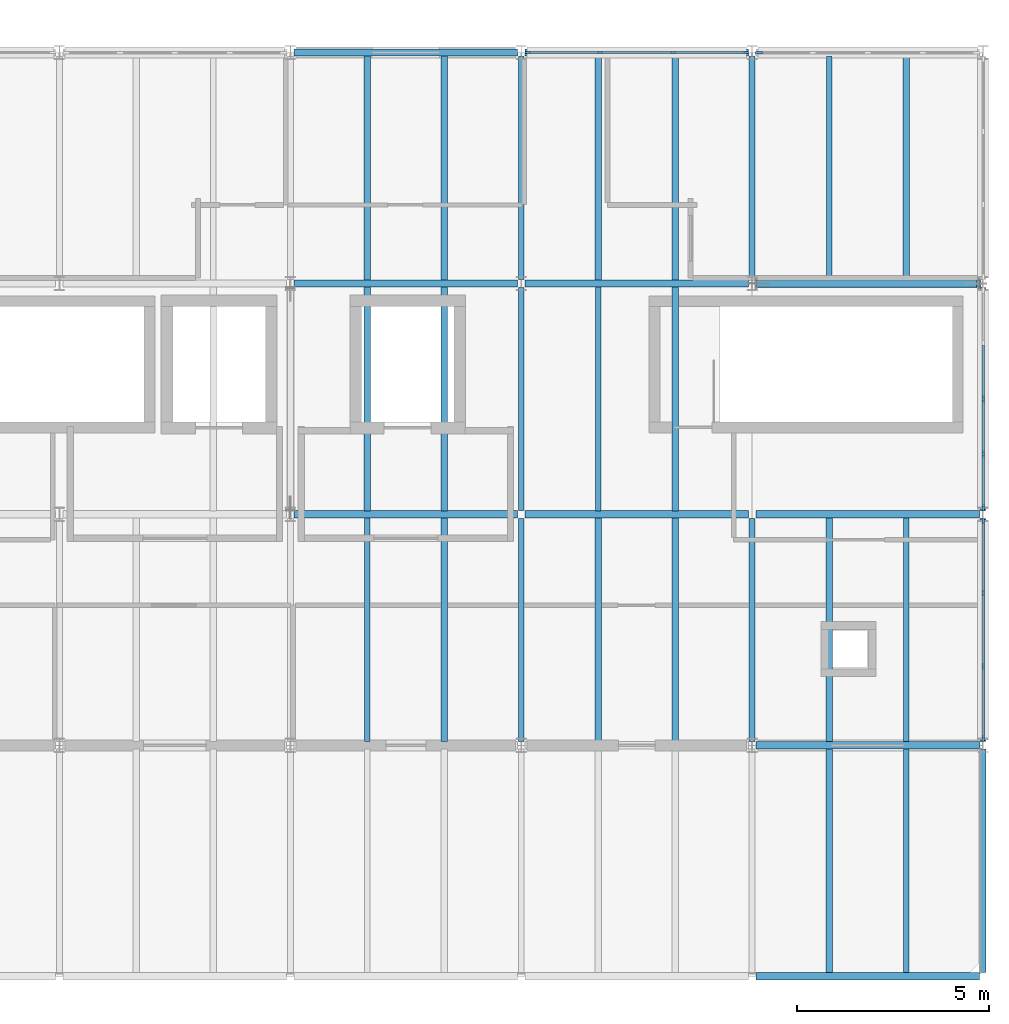
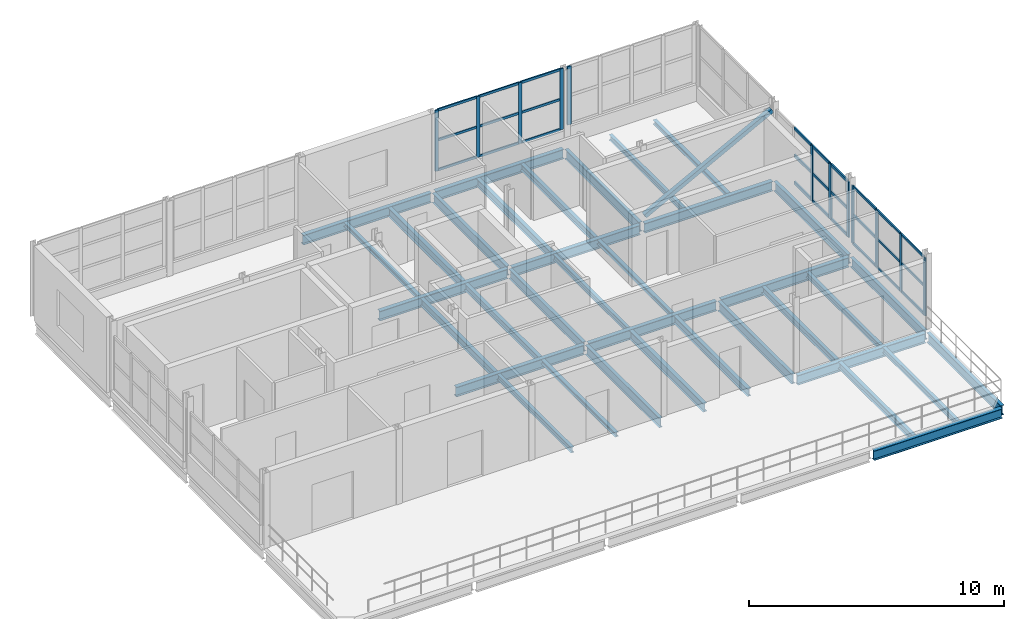
# One storey, part 8 of 20: 40 members, 36 beams, 4 elements without a shape of their own.
"""IFC4 building model written with IfcOpenShell, lengths in metres."""

from ifc_helpers import new_model, si_unit, direction, frame, origin, origin_2d, place, context, subcontext, project, spatial, rectangle, hollow_rectangle, i_section, extrude, material, material_profile, profile_set, type_object, element, aggregate, save


model = new_model("IFC4")

# Units and contexts
model_context = context("Model", 3, precision=1e-05, world=origin(), true_north=direction((0.0, 1.0)))
body_context = subcontext(model_context, "Body", "Model", "MODEL_VIEW")
ifc_project = project(units=[si_unit("LENGTHUNIT", "METRE"), si_unit("AREAUNIT", "SQUARE_METRE"), si_unit("VOLUMEUNIT", "CUBIC_METRE"), si_unit("PLANEANGLEUNIT", "RADIAN"), si_unit("MASSUNIT", "GRAM", prefix="KILO")], contexts=[model_context])

# Site, building, storey
site_placement = place(None, origin())
site = spatial("IfcSite", under=ifc_project, at=site_placement, CompositionType="ELEMENT")
building_placement = place(site_placement, origin())
building = spatial("IfcBuilding", under=site, at=building_placement, Name="Siltcreek Boulevard Central Fire Station", CompositionType="ELEMENT")
storey_placement = place(building_placement, frame((0.0, 0.0, 18.0)))
storey = spatial("IfcBuildingStorey", under=building, at=storey_placement, Name="L05", CompositionType="ELEMENT", Elevation=18.0)

# Beams
ifc_material_1 = material(Name="Structural steel ASTM A992 Gr50", Category="steel")
ifc_material_profile_1 = material_profile(ifc_material_1, i_section(OverallWidth=0.154052734375, OverallDepth=0.458984375, WebThickness=0.009033203125, FlangeThickness=0.015380859375, at=origin_2d()), Name="W460X68")
ifc_profile_set_1 = profile_set([ifc_material_profile_1], Name="Structural steel ASTM A992 Gr50")
beam_type_1 = type_object("IfcBeamType", Name="BM_W460X68", PredefinedType="BEAM", material=ifc_profile_set_1)
for number, where, z_axis, x_axis, name in (
    (1, (142.199951171875, 94.300048828125, -0.469482421875), (0.0, 1.0, 0.0), (-1.0, 0.0, 0.0), "L05 primary steel girder GY-0653"),
    (2, (142.199951171875, 100.300048828125, -0.469482421875), (0.0, 1.0, 0.0), (-1.0, 0.0, 0.0), "L05 primary steel girder GY-0654"),
    (3, (142.199951171875, 106.300048828125, -0.469482421875), (0.0, 1.0, 0.0), (-1.0, 0.0, 0.0), "L05 primary steel girder GY-0655"),
    (4, (148.199951171875, 94.300048828125, -0.469482421875), (0.0, 1.0, 0.0), (-1.0, 0.0, 0.0), "L05 primary steel girder GY-0657"),
    (5, (148.199951171875, 106.300048828125, -0.469482421875), (0.0, 1.0, 0.0), (-1.0, 0.0, 0.0), "L05 primary steel girder GY-0658"),
    (6, (154.199951171875, 88.300048828125, -0.439453125), (0.0, 1.0, 0.0), (-1.0, 0.0, 0.0), "L05 primary steel girder GY-0659"),
    (7, (154.199951171875, 94.300048828125, -0.469482421875), (0.0, 1.0, 0.0), (-1.0, 0.0, 0.0), "L05 primary steel girder GY-0660"),
    (8, (154.199951171875, 100.300048828125, -0.469482421875), (0.0, 1.0, 0.0), (-1.0, 0.0, 0.0), "L05 primary steel girder GY-0661"),
):
    element("IfcBeam", number, at=place(storey_placement, frame(where, z_axis=z_axis, x_axis=x_axis)), inside=storey, type_object=beam_type_1, Name=name, PredefinedType="BEAM", context=body_context, shape_type="SweptSolid", body=[
        extrude(i_section(OverallWidth=0.154052734375, OverallDepth=0.458984375, WebThickness=0.009033203125, FlangeThickness=0.015380859375, at=origin_2d()), origin(), (0.0, 0.0, 1.0), 5.800048828125),
    ])
ifc_material_profile_2 = material_profile(ifc_material_1, i_section(OverallWidth=0.19189453125, OverallDepth=0.462890625, WebThickness=0.010498046875, FlangeThickness=0.017578125, at=origin_2d()), Name="W460X89")
ifc_profile_set_2 = profile_set([ifc_material_profile_2], Name="Structural steel ASTM A992 Gr50")
beam_type_2 = type_object("IfcBeamType", Name="BM_W460X89", PredefinedType="BEAM", material=ifc_profile_set_2)
for number, where, z_axis, x_axis, name in (
    (9, (148.300048828125, 88.199951171875, -0.44140625), (1.0, 0.0, 0.0), (0.0, 1.0, 0.0), "L05 primary steel girder GX-0620"),
    (10, (148.300048828125, 94.199951171875, -0.471435546875), (1.0, 0.0, 0.0), (0.0, 1.0, 0.0), "L05 primary steel girder GX-0625"),
    (11, (136.300048828125, 100.199951171875, -0.471435546875), (1.0, 0.0, 0.0), (0.0, 1.0, 0.0), "L05 primary steel girder GX-0628"),
    (12, (142.300048828125, 100.199951171875, -0.471435546875), (1.0, 0.0, 0.0), (0.0, 1.0, 0.0), "L05 primary steel girder GX-0629"),
    (13, (148.300048828125, 100.199951171875, -0.471435546875), (1.0, 0.0, 0.0), (0.0, 1.0, 0.0), "L05 primary steel girder GX-0630"),
    (14, (136.300048828125, 106.199951171875, -0.471435546875), (1.0, 0.0, 0.0), (0.0, 1.0, 0.0), "L05 primary steel girder GX-0633"),
    (15, (142.300048828125, 106.199951171875, -0.471435546875), (1.0, 0.0, 0.0), (0.0, 1.0, 0.0), "L05 primary steel girder GX-0634"),
    (16, (148.300048828125, 106.199951171875, -0.471435546875), (1.0, 0.0, 0.0), (0.0, 1.0, 0.0), "L05 primary steel girder GX-0635"),
    (17, (136.300048828125, 112.199951171875, -0.471435546875), (1.0, 0.0, 0.0), (0.0, 1.0, 0.0), "L05 primary steel girder GX-0638"),
    (18, (142.300048828125, 112.199951171875, -0.471435546875), (1.0, 0.0, 0.0), (0.0, 1.0, 0.0), "L05 primary steel girder GX-0639"),
):
    element("IfcBeam", number, at=place(storey_placement, frame(where, z_axis=z_axis, x_axis=x_axis)), inside=storey, type_object=beam_type_2, Name=name, PredefinedType="BEAM", context=body_context, shape_type="SweptSolid", body=[
        extrude(i_section(OverallWidth=0.19189453125, OverallDepth=0.462890625, WebThickness=0.010498046875, FlangeThickness=0.017578125, at=origin_2d()), origin(), (0.0, 0.0, 1.0), 5.800048828125),
    ])

# Member
ifc_material_2 = material(Name="Structural steel ASTM A500 GrC", Category="steel")
ifc_material_profile_3 = material_profile(ifc_material_2, hollow_rectangle(XDim=0.199951171875, YDim=0.199951171875, WallThickness=0.009521484375, at=origin_2d()), Name="HSS200X200X9.5")
ifc_profile_set_3 = profile_set([ifc_material_profile_3], Name="Structural steel ASTM A500 GrC")
member_type_1 = type_object("IfcMemberType", Name="BR_HSS200_9", PredefinedType="BRACE", material=ifc_profile_set_3)
member_1_placement = place(storey_placement, frame((148.320068359375, 106.199951171875, 0.10009765625), z_axis=(0.883763313865, 0.0, 0.467934188819), x_axis=(0.0, 1.0, 0.0)))
element("IfcMember", 19, at=member_1_placement, inside=storey, type_object=member_type_1, Name="L05 buckling-restrained brace BR-030", PredefinedType="BRACE", context=body_context, shape_type="SweptSolid", body=[
    extrude(hollow_rectangle(XDim=0.199951171875, YDim=0.199951171875, WallThickness=0.009521484375, at=origin_2d()), origin(), (0.0, 0.0, 1.0), 6.517578125),
])

# Curtain wall, members
ifc_material_3 = material(Name="Anodized aluminum and low-E insulated glazing", Category="aluminium")
curtain_wall_type_1 = type_object("IfcCurtainWallType", Name="CW_SYS_28", PredefinedType="USERDEFINED", material=ifc_material_3)
curtain_wall_1_placement = place(storey_placement, origin())
curtain_wall_1 = element("IfcCurtainWall", 20, at=curtain_wall_1_placement, inside=storey, type_object=curtain_wall_type_1, Name="L05 V5 unitised curtain wall CW-177", ObjectType="CURTAIN WALL", PredefinedType="USERDEFINED")
ifc_material_4 = material(Name="Anodized 6063-T6 aluminum framing", Category="aluminium")
ifc_material_profile_4 = material_profile(ifc_material_4, rectangle(XDim=0.06005859375, YDim=0.14990234375, at=origin_2d()), Name="MULL60X150")
ifc_profile_set_4 = profile_set([ifc_material_profile_4], Name="Anodized 6063-T6 aluminum framing")
member_type_2 = type_object("IfcMemberType", Name="CWM_60X150", PredefinedType="MULLION", material=ifc_profile_set_4)
member_2_placement = place(storey_placement, frame((148.02490234375, 112.199951171875, 0.679931640625), z_axis=(0.0, 0.0, 1.0), x_axis=(0.0, -1.0, 0.0)))
member_2 = element("IfcMember", 21, at=member_2_placement, type_object=member_type_2, Name="CW-177 mullion 1", PredefinedType="MULLION", context=body_context, shape_type="SweptSolid", body=[
    extrude(rectangle(XDim=0.06005859375, YDim=0.14990234375, at=origin_2d()), origin(), (0.0, 0.0, 1.0), 2.920166015625),
])
member_3_placement = place(storey_placement, frame((146.151611328125, 112.199951171875, 0.679931640625), z_axis=(0.0, 0.0, 1.0), x_axis=(0.0, -1.0, 0.0)))
member_3 = element("IfcMember", 22, at=member_3_placement, type_object=member_type_2, Name="CW-177 mullion 2", PredefinedType="MULLION", context=body_context, shape_type="SweptSolid", body=[
    extrude(rectangle(XDim=0.06005859375, YDim=0.14990234375, at=origin_2d()), origin(), (0.0, 0.0, 1.0), 2.920166015625),
])
member_4_placement = place(storey_placement, frame((144.248291015625, 112.199951171875, 0.679931640625), z_axis=(0.0, 0.0, 1.0), x_axis=(0.0, -1.0, 0.0)))
member_4 = element("IfcMember", 23, at=member_4_placement, type_object=member_type_2, Name="CW-177 mullion 3", PredefinedType="MULLION", context=body_context, shape_type="SweptSolid", body=[
    extrude(rectangle(XDim=0.06005859375, YDim=0.14990234375, at=origin_2d()), origin(), (0.0, 0.0, 1.0), 2.920166015625),
])
member_5_placement = place(storey_placement, frame((142.375, 112.199951171875, 0.679931640625), z_axis=(0.0, 0.0, 1.0), x_axis=(0.0, -1.0, 0.0)))
member_5 = element("IfcMember", 24, at=member_5_placement, type_object=member_type_2, Name="CW-177 mullion 4", PredefinedType="MULLION", context=body_context, shape_type="SweptSolid", body=[
    extrude(rectangle(XDim=0.06005859375, YDim=0.14990234375, at=origin_2d()), origin(), (0.0, 0.0, 1.0), 2.920166015625),
])

curtain_wall_type_2 = type_object("IfcCurtainWallType", Name="CW_SYS_02", PredefinedType="USERDEFINED", material=ifc_material_3)
curtain_wall_2_placement = place(storey_placement, origin())
curtain_wall_2 = element("IfcCurtainWall", 25, at=curtain_wall_2_placement, inside=storey, type_object=curtain_wall_type_2, Name="L05 V5 unitised curtain wall CW-181", ObjectType="CURTAIN WALL", PredefinedType="USERDEFINED")
member_6_placement = place(storey_placement, frame((154.199951171875, 94.375, 0.43994140625), z_axis=(0.0, 0.0, 1.0), x_axis=(-1.0, 0.0, 0.0)))
member_6 = element("IfcMember", 26, at=member_6_placement, type_object=member_type_2, Name="CW-181 mullion 1", PredefinedType="MULLION", context=body_context, shape_type="SweptSolid", body=[
    extrude(rectangle(XDim=0.06005859375, YDim=0.14990234375, at=origin_2d()), origin(), (0.0, 0.0, 1.0), 2.779052734375),
])
member_7_placement = place(storey_placement, frame((154.199951171875, 96.248291015625, 0.43994140625), z_axis=(0.0, 0.0, 1.0), x_axis=(-1.0, 0.0, 0.0)))
member_7 = element("IfcMember", 27, at=member_7_placement, type_object=member_type_2, Name="CW-181 mullion 2", PredefinedType="MULLION", context=body_context, shape_type="SweptSolid", body=[
    extrude(rectangle(XDim=0.06005859375, YDim=0.14990234375, at=origin_2d()), origin(), (0.0, 0.0, 1.0), 2.779052734375),
])
member_8_placement = place(storey_placement, frame((154.199951171875, 98.151611328125, 0.43994140625), z_axis=(0.0, 0.0, 1.0), x_axis=(-1.0, 0.0, 0.0)))
member_8 = element("IfcMember", 28, at=member_8_placement, type_object=member_type_2, Name="CW-181 mullion 3", PredefinedType="MULLION", context=body_context, shape_type="SweptSolid", body=[
    extrude(rectangle(XDim=0.06005859375, YDim=0.14990234375, at=origin_2d()), origin(), (0.0, 0.0, 1.0), 2.779052734375),
])
member_9_placement = place(storey_placement, frame((154.199951171875, 100.02490234375, 0.43994140625), z_axis=(0.0, 0.0, 1.0), x_axis=(-1.0, 0.0, 0.0)))
member_9 = element("IfcMember", 29, at=member_9_placement, type_object=member_type_2, Name="CW-181 mullion 4", PredefinedType="MULLION", context=body_context, shape_type="SweptSolid", body=[
    extrude(rectangle(XDim=0.06005859375, YDim=0.14990234375, at=origin_2d()), origin(), (0.0, 0.0, 1.0), 2.779052734375),
])

# Curtain wall, member
curtain_wall_type_3 = type_object("IfcCurtainWallType", Name="CW_SYS_29", PredefinedType="USERDEFINED", material=ifc_material_3)
curtain_wall_3_placement = place(storey_placement, origin())
curtain_wall_3 = element("IfcCurtainWall", 30, at=curtain_wall_3_placement, inside=storey, type_object=curtain_wall_type_3, Name="L05 V5 unitised curtain wall CW-178", ObjectType="CURTAIN WALL", PredefinedType="USERDEFINED")
ifc_material_profile_5 = material_profile(ifc_material_4, rectangle(XDim=0.06494140625, YDim=0.175048828125, at=origin_2d()), Name="MULL65X175")
ifc_profile_set_5 = profile_set([ifc_material_profile_5], Name="Anodized 6063-T6 aluminum framing")
member_type_3 = type_object("IfcMemberType", Name="CWM_65X175", PredefinedType="MULLION", material=ifc_profile_set_5)
member_10_placement = place(storey_placement, frame((148.37744140625, 112.199951171875, 0.800048828125), z_axis=(0.0, 0.0, 1.0), x_axis=(0.0, -1.0, 0.0)))
member_10 = element("IfcMember", 31, at=member_10_placement, type_object=member_type_3, Name="CW-178 mullion 5", PredefinedType="MULLION", context=body_context, shape_type="SweptSolid", body=[
    extrude(rectangle(XDim=0.06494140625, YDim=0.175048828125, at=origin_2d()), origin(), (0.0, 0.0, 1.0), 2.800048828125),
])
aggregate(curtain_wall_3, [member_10])

# Curtain wall, members
curtain_wall_type_4 = type_object("IfcCurtainWallType", Name="CW_SYS_03", PredefinedType="USERDEFINED", material=ifc_material_3)
curtain_wall_4_placement = place(storey_placement, origin())
curtain_wall_4 = element("IfcCurtainWall", 32, at=curtain_wall_4_placement, inside=storey, type_object=curtain_wall_type_4, Name="L05 V5 unitised curtain wall CW-182", ObjectType="CURTAIN WALL", PredefinedType="USERDEFINED")
member_11_placement = place(storey_placement, frame((154.199951171875, 100.37744140625, 0.56005859375), z_axis=(0.0, 0.0, 1.0), x_axis=(-1.0, 0.0, 0.0)))
member_11 = element("IfcMember", 33, at=member_11_placement, type_object=member_type_3, Name="CW-182 mullion 1", PredefinedType="MULLION", context=body_context, shape_type="SweptSolid", body=[
    extrude(rectangle(XDim=0.06494140625, YDim=0.175048828125, at=origin_2d()), origin(), (0.0, 0.0, 1.0), 2.658935546875),
])
member_12_placement = place(storey_placement, frame((154.199951171875, 101.7724609375, 0.56005859375), z_axis=(0.0, 0.0, 1.0), x_axis=(-1.0, 0.0, 0.0)))
member_12 = element("IfcMember", 34, at=member_12_placement, type_object=member_type_3, Name="CW-182 mullion 2", PredefinedType="MULLION", context=body_context, shape_type="SweptSolid", body=[
    extrude(rectangle(XDim=0.06494140625, YDim=0.175048828125, at=origin_2d()), origin(), (0.0, 0.0, 1.0), 2.658935546875),
])
member_13_placement = place(storey_placement, frame((154.199951171875, 103.199951171875, 0.56005859375), z_axis=(0.0, 0.0, 1.0), x_axis=(-1.0, 0.0, 0.0)))
member_13 = element("IfcMember", 35, at=member_13_placement, type_object=member_type_3, Name="CW-182 mullion 3", PredefinedType="MULLION", context=body_context, shape_type="SweptSolid", body=[
    extrude(rectangle(XDim=0.06494140625, YDim=0.175048828125, at=origin_2d()), origin(), (0.0, 0.0, 1.0), 2.658935546875),
])

# Member
ifc_material_profile_6 = material_profile(ifc_material_4, rectangle(XDim=0.06005859375, YDim=0.114990234375, at=origin_2d()), Name="TRAN60X115")
ifc_profile_set_6 = profile_set([ifc_material_profile_6], Name="Anodized 6063-T6 aluminum framing")
member_type_4 = type_object("IfcMemberType", Name="CWT_60X115", PredefinedType="USERDEFINED", material=ifc_profile_set_6)
member_14_placement = place(storey_placement, frame((147.9951171875, 112.199951171875, 0.7099609375), z_axis=(-1.0, 0.0, 0.0), x_axis=(0.0, -1.0, 0.0)))
member_14 = element("IfcMember", 36, at=member_14_placement, type_object=member_type_4, Name="CW-177 transom 1.1", ObjectType="TRANSOM", PredefinedType="USERDEFINED", context=body_context, shape_type="SweptSolid", body=[
    extrude(rectangle(XDim=0.06005859375, YDim=0.114990234375, at=origin_2d()), origin(), (0.0, 0.0, 1.0), 1.8134765625),
])

member_15_placement = place(storey_placement, frame((147.9951171875, 112.199951171875, 2.139892578125), z_axis=(-1.0, 0.0, 0.0), x_axis=(0.0, -1.0, 0.0)))
member_15 = element("IfcMember", 37, at=member_15_placement, type_object=member_type_4, Name="CW-177 transom 1.2", ObjectType="TRANSOM", PredefinedType="USERDEFINED", context=body_context, shape_type="SweptSolid", body=[
    extrude(rectangle(XDim=0.06005859375, YDim=0.114990234375, at=origin_2d()), origin(), (0.0, 0.0, 1.0), 1.8134765625),
])

member_16_placement = place(storey_placement, frame((147.9951171875, 112.199951171875, 3.570068359375), z_axis=(-1.0, 0.0, 0.0), x_axis=(0.0, -1.0, 0.0)))
member_16 = element("IfcMember", 38, at=member_16_placement, type_object=member_type_4, Name="CW-177 transom 1.3", ObjectType="TRANSOM", PredefinedType="USERDEFINED", context=body_context, shape_type="SweptSolid", body=[
    extrude(rectangle(XDim=0.06005859375, YDim=0.114990234375, at=origin_2d()), origin(), (0.0, 0.0, 1.0), 1.8134765625),
])

member_17_placement = place(storey_placement, frame((146.12158203125, 112.199951171875, 0.7099609375), z_axis=(-1.0, 0.0, 0.0), x_axis=(0.0, -1.0, 0.0)))
member_17 = element("IfcMember", 39, at=member_17_placement, type_object=member_type_4, Name="CW-177 transom 2.1", ObjectType="TRANSOM", PredefinedType="USERDEFINED", context=body_context, shape_type="SweptSolid", body=[
    extrude(rectangle(XDim=0.06005859375, YDim=0.114990234375, at=origin_2d()), origin(), (0.0, 0.0, 1.0), 1.84326171875),
])

member_18_placement = place(storey_placement, frame((146.12158203125, 112.199951171875, 2.139892578125), z_axis=(-1.0, 0.0, 0.0), x_axis=(0.0, -1.0, 0.0)))
member_18 = element("IfcMember", 40, at=member_18_placement, type_object=member_type_4, Name="CW-177 transom 2.2", ObjectType="TRANSOM", PredefinedType="USERDEFINED", context=body_context, shape_type="SweptSolid", body=[
    extrude(rectangle(XDim=0.06005859375, YDim=0.114990234375, at=origin_2d()), origin(), (0.0, 0.0, 1.0), 1.84326171875),
])

member_19_placement = place(storey_placement, frame((146.12158203125, 112.199951171875, 3.570068359375), z_axis=(-1.0, 0.0, 0.0), x_axis=(0.0, -1.0, 0.0)))
member_19 = element("IfcMember", 41, at=member_19_placement, type_object=member_type_4, Name="CW-177 transom 2.3", ObjectType="TRANSOM", PredefinedType="USERDEFINED", context=body_context, shape_type="SweptSolid", body=[
    extrude(rectangle(XDim=0.06005859375, YDim=0.114990234375, at=origin_2d()), origin(), (0.0, 0.0, 1.0), 1.84326171875),
])

member_20_placement = place(storey_placement, frame((144.21826171875, 112.199951171875, 0.7099609375), z_axis=(-1.0, 0.0, 0.0), x_axis=(0.0, -1.0, 0.0)))
member_20 = element("IfcMember", 42, at=member_20_placement, type_object=member_type_4, Name="CW-177 transom 3.1", ObjectType="TRANSOM", PredefinedType="USERDEFINED", context=body_context, shape_type="SweptSolid", body=[
    extrude(rectangle(XDim=0.06005859375, YDim=0.114990234375, at=origin_2d()), origin(), (0.0, 0.0, 1.0), 1.813232421875),
])

member_21_placement = place(storey_placement, frame((144.21826171875, 112.199951171875, 2.139892578125), z_axis=(-1.0, 0.0, 0.0), x_axis=(0.0, -1.0, 0.0)))
member_21 = element("IfcMember", 43, at=member_21_placement, type_object=member_type_4, Name="CW-177 transom 3.2", ObjectType="TRANSOM", PredefinedType="USERDEFINED", context=body_context, shape_type="SweptSolid", body=[
    extrude(rectangle(XDim=0.06005859375, YDim=0.114990234375, at=origin_2d()), origin(), (0.0, 0.0, 1.0), 1.813232421875),
])

member_22_placement = place(storey_placement, frame((144.21826171875, 112.199951171875, 3.570068359375), z_axis=(-1.0, 0.0, 0.0), x_axis=(0.0, -1.0, 0.0)))
member_22 = element("IfcMember", 44, at=member_22_placement, type_object=member_type_4, Name="CW-177 transom 3.3", ObjectType="TRANSOM", PredefinedType="USERDEFINED", context=body_context, shape_type="SweptSolid", body=[
    extrude(rectangle(XDim=0.06005859375, YDim=0.114990234375, at=origin_2d()), origin(), (0.0, 0.0, 1.0), 1.813232421875),
])

aggregate(curtain_wall_1, [member_2, member_3, member_4, member_5, member_14, member_15, member_16, member_17, member_18, member_19, member_20, member_21, member_22])

member_23_placement = place(storey_placement, frame((154.199951171875, 94.405029296875, 0.469970703125), z_axis=(0.0, 1.0, 0.0), x_axis=(-1.0, 0.0, 0.0)))
member_23 = element("IfcMember", 45, at=member_23_placement, type_object=member_type_4, Name="CW-181 transom 1.1", ObjectType="TRANSOM", PredefinedType="USERDEFINED", context=body_context, shape_type="SweptSolid", body=[
    extrude(rectangle(XDim=0.06005859375, YDim=0.114990234375, at=origin_2d()), origin(), (0.0, 0.0, 1.0), 1.813232421875),
])

member_24_placement = place(storey_placement, frame((154.199951171875, 94.405029296875, 1.82958984375), z_axis=(0.0, 1.0, 0.0), x_axis=(-1.0, 0.0, 0.0)))
member_24 = element("IfcMember", 46, at=member_24_placement, type_object=member_type_4, Name="CW-181 transom 1.2", ObjectType="TRANSOM", PredefinedType="USERDEFINED", context=body_context, shape_type="SweptSolid", body=[
    extrude(rectangle(XDim=0.06005859375, YDim=0.114990234375, at=origin_2d()), origin(), (0.0, 0.0, 1.0), 1.813232421875),
])

member_25_placement = place(storey_placement, frame((154.199951171875, 94.405029296875, 3.18896484375), z_axis=(0.0, 1.0, 0.0), x_axis=(-1.0, 0.0, 0.0)))
member_25 = element("IfcMember", 47, at=member_25_placement, type_object=member_type_4, Name="CW-181 transom 1.3", ObjectType="TRANSOM", PredefinedType="USERDEFINED", context=body_context, shape_type="SweptSolid", body=[
    extrude(rectangle(XDim=0.06005859375, YDim=0.114990234375, at=origin_2d()), origin(), (0.0, 0.0, 1.0), 1.813232421875),
])

member_26_placement = place(storey_placement, frame((154.199951171875, 96.2783203125, 0.469970703125), z_axis=(0.0, 1.0, 0.0), x_axis=(-1.0, 0.0, 0.0)))
member_26 = element("IfcMember", 48, at=member_26_placement, type_object=member_type_4, Name="CW-181 transom 2.1", ObjectType="TRANSOM", PredefinedType="USERDEFINED", context=body_context, shape_type="SweptSolid", body=[
    extrude(rectangle(XDim=0.06005859375, YDim=0.114990234375, at=origin_2d()), origin(), (0.0, 0.0, 1.0), 1.84326171875),
])

member_27_placement = place(storey_placement, frame((154.199951171875, 96.2783203125, 1.82958984375), z_axis=(0.0, 1.0, 0.0), x_axis=(-1.0, 0.0, 0.0)))
member_27 = element("IfcMember", 49, at=member_27_placement, type_object=member_type_4, Name="CW-181 transom 2.2", ObjectType="TRANSOM", PredefinedType="USERDEFINED", context=body_context, shape_type="SweptSolid", body=[
    extrude(rectangle(XDim=0.06005859375, YDim=0.114990234375, at=origin_2d()), origin(), (0.0, 0.0, 1.0), 1.84326171875),
])

member_28_placement = place(storey_placement, frame((154.199951171875, 96.2783203125, 3.18896484375), z_axis=(0.0, 1.0, 0.0), x_axis=(-1.0, 0.0, 0.0)))
member_28 = element("IfcMember", 50, at=member_28_placement, type_object=member_type_4, Name="CW-181 transom 2.3", ObjectType="TRANSOM", PredefinedType="USERDEFINED", context=body_context, shape_type="SweptSolid", body=[
    extrude(rectangle(XDim=0.06005859375, YDim=0.114990234375, at=origin_2d()), origin(), (0.0, 0.0, 1.0), 1.84326171875),
])

member_29_placement = place(storey_placement, frame((154.199951171875, 98.181640625, 0.469970703125), z_axis=(0.0, 1.0, 0.0), x_axis=(-1.0, 0.0, 0.0)))
member_29 = element("IfcMember", 51, at=member_29_placement, type_object=member_type_4, Name="CW-181 transom 3.1", ObjectType="TRANSOM", PredefinedType="USERDEFINED", context=body_context, shape_type="SweptSolid", body=[
    extrude(rectangle(XDim=0.06005859375, YDim=0.114990234375, at=origin_2d()), origin(), (0.0, 0.0, 1.0), 1.8134765625),
])

member_30_placement = place(storey_placement, frame((154.199951171875, 98.181640625, 1.82958984375), z_axis=(0.0, 1.0, 0.0), x_axis=(-1.0, 0.0, 0.0)))
member_30 = element("IfcMember", 52, at=member_30_placement, type_object=member_type_4, Name="CW-181 transom 3.2", ObjectType="TRANSOM", PredefinedType="USERDEFINED", context=body_context, shape_type="SweptSolid", body=[
    extrude(rectangle(XDim=0.06005859375, YDim=0.114990234375, at=origin_2d()), origin(), (0.0, 0.0, 1.0), 1.8134765625),
])

member_31_placement = place(storey_placement, frame((154.199951171875, 98.181640625, 3.18896484375), z_axis=(0.0, 1.0, 0.0), x_axis=(-1.0, 0.0, 0.0)))
member_31 = element("IfcMember", 53, at=member_31_placement, type_object=member_type_4, Name="CW-181 transom 3.3", ObjectType="TRANSOM", PredefinedType="USERDEFINED", context=body_context, shape_type="SweptSolid", body=[
    extrude(rectangle(XDim=0.06005859375, YDim=0.114990234375, at=origin_2d()), origin(), (0.0, 0.0, 1.0), 1.8134765625),
])

aggregate(curtain_wall_2, [member_6, member_7, member_8, member_9, member_23, member_24, member_25, member_26, member_27, member_28, member_29, member_30, member_31])

ifc_material_profile_7 = material_profile(ifc_material_4, rectangle(XDim=0.06494140625, YDim=0.135009765625, at=origin_2d()), Name="TRAN65X135")
ifc_profile_set_7 = profile_set([ifc_material_profile_7], Name="Anodized 6063-T6 aluminum framing")
member_type_5 = type_object("IfcMemberType", Name="CWT_65X135", PredefinedType="USERDEFINED", material=ifc_profile_set_7)
member_32_placement = place(storey_placement, frame((154.199951171875, 100.409912109375, 0.592529296875), z_axis=(0.0, 1.0, 0.0), x_axis=(-1.0, 0.0, 0.0)))
member_32 = element("IfcMember", 54, at=member_32_placement, type_object=member_type_5, Name="CW-182 transom 1.1", ObjectType="TRANSOM", PredefinedType="USERDEFINED", context=body_context, shape_type="SweptSolid", body=[
    extrude(rectangle(XDim=0.06494140625, YDim=0.135009765625, at=origin_2d()), origin(), (0.0, 0.0, 1.0), 1.330078125),
])

member_33_placement = place(storey_placement, frame((154.199951171875, 100.409912109375, 1.889404296875), z_axis=(0.0, 1.0, 0.0), x_axis=(-1.0, 0.0, 0.0)))
member_33 = element("IfcMember", 55, at=member_33_placement, type_object=member_type_5, Name="CW-182 transom 1.2", ObjectType="TRANSOM", PredefinedType="USERDEFINED", context=body_context, shape_type="SweptSolid", body=[
    extrude(rectangle(XDim=0.06494140625, YDim=0.135009765625, at=origin_2d()), origin(), (0.0, 0.0, 1.0), 1.330078125),
])

member_34_placement = place(storey_placement, frame((154.199951171875, 100.409912109375, 3.1865234375), z_axis=(0.0, 1.0, 0.0), x_axis=(-1.0, 0.0, 0.0)))
member_34 = element("IfcMember", 56, at=member_34_placement, type_object=member_type_5, Name="CW-182 transom 1.3", ObjectType="TRANSOM", PredefinedType="USERDEFINED", context=body_context, shape_type="SweptSolid", body=[
    extrude(rectangle(XDim=0.06494140625, YDim=0.135009765625, at=origin_2d()), origin(), (0.0, 0.0, 1.0), 1.330078125),
])

member_35_placement = place(storey_placement, frame((154.199951171875, 101.804931640625, 0.592529296875), z_axis=(0.0, 1.0, 0.0), x_axis=(-1.0, 0.0, 0.0)))
member_35 = element("IfcMember", 57, at=member_35_placement, type_object=member_type_5, Name="CW-182 transom 2.1", ObjectType="TRANSOM", PredefinedType="USERDEFINED", context=body_context, shape_type="SweptSolid", body=[
    extrude(rectangle(XDim=0.06494140625, YDim=0.135009765625, at=origin_2d()), origin(), (0.0, 0.0, 1.0), 1.362548828125),
])

member_36_placement = place(storey_placement, frame((154.199951171875, 101.804931640625, 1.889404296875), z_axis=(0.0, 1.0, 0.0), x_axis=(-1.0, 0.0, 0.0)))
member_36 = element("IfcMember", 58, at=member_36_placement, type_object=member_type_5, Name="CW-182 transom 2.2", ObjectType="TRANSOM", PredefinedType="USERDEFINED", context=body_context, shape_type="SweptSolid", body=[
    extrude(rectangle(XDim=0.06494140625, YDim=0.135009765625, at=origin_2d()), origin(), (0.0, 0.0, 1.0), 1.362548828125),
])

member_37_placement = place(storey_placement, frame((154.199951171875, 101.804931640625, 3.1865234375), z_axis=(0.0, 1.0, 0.0), x_axis=(-1.0, 0.0, 0.0)))
member_37 = element("IfcMember", 59, at=member_37_placement, type_object=member_type_5, Name="CW-182 transom 2.3", ObjectType="TRANSOM", PredefinedType="USERDEFINED", context=body_context, shape_type="SweptSolid", body=[
    extrude(rectangle(XDim=0.06494140625, YDim=0.135009765625, at=origin_2d()), origin(), (0.0, 0.0, 1.0), 1.362548828125),
])

member_38_placement = place(storey_placement, frame((154.199951171875, 103.232421875, 0.592529296875), z_axis=(0.0, 1.0, 0.0), x_axis=(-1.0, 0.0, 0.0)))
member_38 = element("IfcMember", 60, at=member_38_placement, type_object=member_type_5, Name="CW-182 transom 3.1", ObjectType="TRANSOM", PredefinedType="USERDEFINED", context=body_context, shape_type="SweptSolid", body=[
    extrude(rectangle(XDim=0.06494140625, YDim=0.135009765625, at=origin_2d()), origin(), (0.0, 0.0, 1.0), 1.362548828125),
])

member_39_placement = place(storey_placement, frame((154.199951171875, 103.232421875, 1.889404296875), z_axis=(0.0, 1.0, 0.0), x_axis=(-1.0, 0.0, 0.0)))
member_39 = element("IfcMember", 61, at=member_39_placement, type_object=member_type_5, Name="CW-182 transom 3.2", ObjectType="TRANSOM", PredefinedType="USERDEFINED", context=body_context, shape_type="SweptSolid", body=[
    extrude(rectangle(XDim=0.06494140625, YDim=0.135009765625, at=origin_2d()), origin(), (0.0, 0.0, 1.0), 1.362548828125),
])

member_40_placement = place(storey_placement, frame((154.199951171875, 103.232421875, 3.1865234375), z_axis=(0.0, 1.0, 0.0), x_axis=(-1.0, 0.0, 0.0)))
member_40 = element("IfcMember", 62, at=member_40_placement, type_object=member_type_5, Name="CW-182 transom 3.3", ObjectType="TRANSOM", PredefinedType="USERDEFINED", context=body_context, shape_type="SweptSolid", body=[
    extrude(rectangle(XDim=0.06494140625, YDim=0.135009765625, at=origin_2d()), origin(), (0.0, 0.0, 1.0), 1.362548828125),
])

aggregate(curtain_wall_4, [member_11, member_12, member_13, member_32, member_33, member_34, member_35, member_36, member_37, member_38, member_39, member_40])

# Beams
ifc_material_profile_8 = material_profile(ifc_material_1, i_section(OverallWidth=0.1650390625, OverallDepth=0.200927734375, WebThickness=0.006103515625, FlangeThickness=0.01025390625, at=origin_2d()), Name="W200X36")
ifc_profile_set_8 = profile_set([ifc_material_profile_8], Name="Structural steel ASTM A992 Gr50")
beam_type_3 = type_object("IfcBeamType", Name="JST_W200X36", PredefinedType="JOIST", material=ifc_profile_set_8)
for number, where, z_axis, x_axis, name in (
    (63, (140.199951171875, 94.2939453125, -0.340576171875), (0.0, 1.0, 0.0), (-1.0, 0.0, 0.0), "L05 secondary steel floor joist 0534"),
    (64, (146.199951171875, 100.2939453125, -0.340576171875), (0.0, 1.0, 0.0), (-1.0, 0.0, 0.0), "L05 secondary steel floor joist 0544"),
    (65, (138.199951171875, 106.2939453125, -0.340576171875), (0.0, 1.0, 0.0), (-1.0, 0.0, 0.0), "L05 secondary steel floor joist 0549"),
    (66, (152.199951171875, 106.2939453125, -0.340576171875), (0.0, 1.0, 0.0), (-1.0, 0.0, 0.0), "L05 secondary steel floor joist 0554"),
):
    element("IfcBeam", number, at=place(storey_placement, frame(where, z_axis=z_axis, x_axis=x_axis)), inside=storey, type_object=beam_type_3, Name=name, PredefinedType="JOIST", context=body_context, shape_type="SweptSolid", body=[
        extrude(i_section(OverallWidth=0.1650390625, OverallDepth=0.200927734375, WebThickness=0.006103515625, FlangeThickness=0.01025390625, at=origin_2d()), origin(), (0.0, 0.0, 1.0), 5.81201171875),
    ])
ifc_material_profile_9 = material_profile(ifc_material_1, i_section(OverallWidth=0.14697265625, OverallDepth=0.261962890625, WebThickness=0.006591796875, FlangeThickness=0.01123046875, at=origin_2d()), Name="W250X39")
ifc_profile_set_9 = profile_set([ifc_material_profile_9], Name="Structural steel ASTM A992 Gr50")
beam_type_4 = type_object("IfcBeamType", Name="JST_W250X39", PredefinedType="JOIST", material=ifc_profile_set_9)
for number, where, z_axis, x_axis, name in (
    (67, (152.199951171875, 88.2939453125, -0.341064453125), (0.0, 1.0, 0.0), (-1.0, 0.0, 0.0), "L05 secondary steel floor joist 0528"),
    (68, (138.199951171875, 94.2939453125, -0.37109375), (0.0, 1.0, 0.0), (-1.0, 0.0, 0.0), "L05 secondary steel floor joist 0533"),
    (69, (152.199951171875, 94.2939453125, -0.37109375), (0.0, 1.0, 0.0), (-1.0, 0.0, 0.0), "L05 secondary steel floor joist 0538"),
    (70, (144.199951171875, 100.2939453125, -0.37109375), (0.0, 1.0, 0.0), (-1.0, 0.0, 0.0), "L05 secondary steel floor joist 0543"),
    (71, (150.199951171875, 106.2939453125, -0.37109375), (0.0, 1.0, 0.0), (-1.0, 0.0, 0.0), "L05 secondary steel floor joist 0553"),
):
    element("IfcBeam", number, at=place(storey_placement, frame(where, z_axis=z_axis, x_axis=x_axis)), inside=storey, type_object=beam_type_4, Name=name, PredefinedType="JOIST", context=body_context, shape_type="SweptSolid", body=[
        extrude(i_section(OverallWidth=0.14697265625, OverallDepth=0.261962890625, WebThickness=0.006591796875, FlangeThickness=0.01123046875, at=origin_2d()), origin(), (0.0, 0.0, 1.0), 5.81201171875),
    ])
ifc_material_profile_10 = material_profile(ifc_material_1, i_section(OverallWidth=0.166015625, OverallDepth=0.31298828125, WebThickness=0.006591796875, FlangeThickness=0.01123046875, at=origin_2d()), Name="W310X45")
ifc_profile_set_10 = profile_set([ifc_material_profile_10], Name="Structural steel ASTM A992 Gr50")
beam_type_5 = type_object("IfcBeamType", Name="JST_W310X45", PredefinedType="JOIST", material=ifc_profile_set_10)
for number, where, z_axis, x_axis, name in (
    (72, (150.199951171875, 88.2939453125, -0.366455078125), (0.0, 1.0, 0.0), (-1.0, 0.0, 0.0), "L05 secondary steel floor joist 0527"),
    (73, (150.199951171875, 94.2939453125, -0.396484375), (0.0, 1.0, 0.0), (-1.0, 0.0, 0.0), "L05 secondary steel floor joist 0537"),
    (74, (140.199951171875, 100.2939453125, -0.396484375), (0.0, 1.0, 0.0), (-1.0, 0.0, 0.0), "L05 secondary steel floor joist 0542"),
    (75, (146.199951171875, 106.2939453125, -0.396484375), (0.0, 1.0, 0.0), (-1.0, 0.0, 0.0), "L05 secondary steel floor joist 0552"),
):
    element("IfcBeam", number, at=place(storey_placement, frame(where, z_axis=z_axis, x_axis=x_axis)), inside=storey, type_object=beam_type_5, Name=name, PredefinedType="JOIST", context=body_context, shape_type="SweptSolid", body=[
        extrude(i_section(OverallWidth=0.166015625, OverallDepth=0.31298828125, WebThickness=0.006591796875, FlangeThickness=0.01123046875, at=origin_2d()), origin(), (0.0, 0.0, 1.0), 5.81201171875),
    ])
ifc_material_profile_11 = material_profile(ifc_material_1, i_section(OverallWidth=0.172119140625, OverallDepth=0.35791015625, WebThickness=0.0078125, FlangeThickness=0.01318359375, at=origin_2d()), Name="W360X57")
ifc_profile_set_11 = profile_set([ifc_material_profile_11], Name="Structural steel ASTM A992 Gr50")
beam_type_6 = type_object("IfcBeamType", Name="JST_W360X57", PredefinedType="JOIST", material=ifc_profile_set_11)
for number, where, z_axis, x_axis, name in (
    (76, (146.199951171875, 94.2939453125, -0.4189453125), (0.0, 1.0, 0.0), (-1.0, 0.0, 0.0), "L05 secondary steel floor joist 0536"),
    (77, (138.199951171875, 100.2939453125, -0.4189453125), (0.0, 1.0, 0.0), (-1.0, 0.0, 0.0), "L05 secondary steel floor joist 0541"),
    (78, (144.199951171875, 106.2939453125, -0.4189453125), (0.0, 1.0, 0.0), (-1.0, 0.0, 0.0), "L05 secondary steel floor joist 0551"),
):
    element("IfcBeam", number, at=place(storey_placement, frame(where, z_axis=z_axis, x_axis=x_axis)), inside=storey, type_object=beam_type_6, Name=name, PredefinedType="JOIST", context=body_context, shape_type="SweptSolid", body=[
        extrude(i_section(OverallWidth=0.172119140625, OverallDepth=0.35791015625, WebThickness=0.0078125, FlangeThickness=0.01318359375, at=origin_2d()), origin(), (0.0, 0.0, 1.0), 5.81201171875),
    ])
ifc_material_profile_12 = material_profile(ifc_material_1, i_section(OverallWidth=0.177001953125, OverallDepth=0.403076171875, WebThickness=0.007568359375, FlangeThickness=0.010986328125, at=origin_2d()), Name="W410X53")
ifc_profile_set_12 = profile_set([ifc_material_profile_12], Name="Structural steel ASTM A992 Gr50")
beam_type_7 = type_object("IfcBeamType", Name="JST_W410X53", PredefinedType="JOIST", material=ifc_profile_set_12)
for number, where, z_axis, x_axis, name in (
    (79, (144.199951171875, 94.2939453125, -0.44140625), (0.0, 1.0, 0.0), (-1.0, 0.0, 0.0), "L05 secondary steel floor joist 0535"),
    (80, (140.199951171875, 106.2939453125, -0.44140625), (0.0, 1.0, 0.0), (-1.0, 0.0, 0.0), "L05 secondary steel floor joist 0550"),
):
    element("IfcBeam", number, at=place(storey_placement, frame(where, z_axis=z_axis, x_axis=x_axis)), inside=storey, type_object=beam_type_7, Name=name, PredefinedType="JOIST", context=body_context, shape_type="SweptSolid", body=[
        extrude(i_section(OverallWidth=0.177001953125, OverallDepth=0.403076171875, WebThickness=0.007568359375, FlangeThickness=0.010986328125, at=origin_2d()), origin(), (0.0, 0.0, 1.0), 5.81201171875),
    ])

save(model, "model.ifc")
